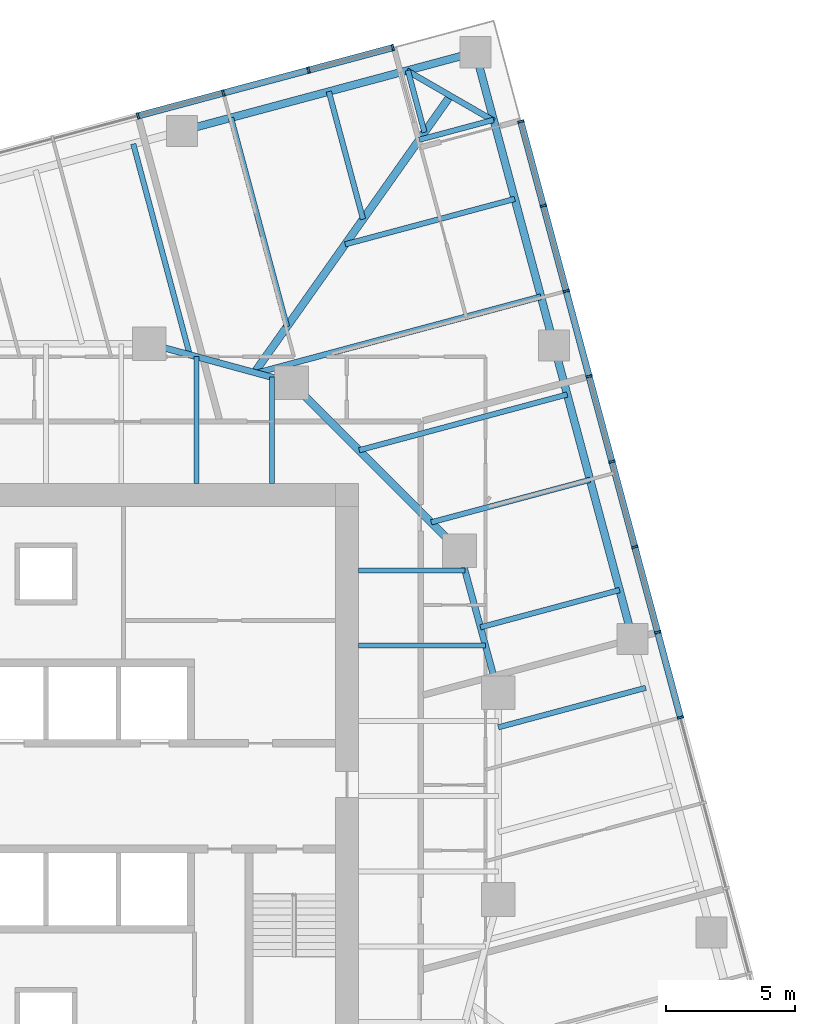
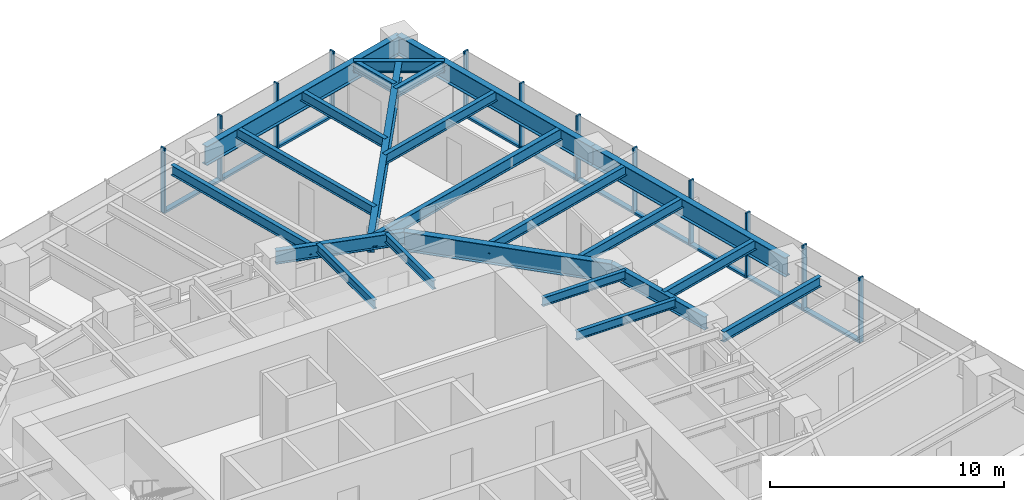
# One storey, part 6 of 14: 23 beams, 22 members, 2 elements without a shape of their own.
"""IFC4 building model written with IfcOpenShell, lengths in metres."""

from ifc_helpers import new_model, si_unit, direction, frame, origin, origin_2d, place, context, subcontext, project, spatial, rectangle, i_section, extrude, material, material_profile, profile_set, type_object, element, aggregate, save


model = new_model("IFC4")

# Units and contexts
model_context = context("Model", 3, precision=1e-05, world=origin(), true_north=direction((0.0, 1.0)))
body_context = subcontext(model_context, "Body", "Model", "MODEL_VIEW")
ifc_project = project(units=[si_unit("LENGTHUNIT", "METRE"), si_unit("AREAUNIT", "SQUARE_METRE"), si_unit("VOLUMEUNIT", "CUBIC_METRE"), si_unit("PLANEANGLEUNIT", "RADIAN"), si_unit("MASSUNIT", "GRAM", prefix="KILO")], contexts=[model_context])

# Site, building, storey
site_placement = place(None, origin())
site = spatial("IfcSite", under=ifc_project, at=site_placement, CompositionType="ELEMENT")
building_placement = place(site_placement, origin())
building = spatial("IfcBuilding", under=site, at=building_placement, Name="Torsade Residences", CompositionType="ELEMENT")
storey_placement = place(building_placement, frame((0.0, 0.0, 111.60009765625)))
storey = spatial("IfcBuildingStorey", under=building, at=storey_placement, Name="L30", CompositionType="ELEMENT", Elevation=111.60009765625)

# Beams
ifc_material_1 = material(Name="Steel grade 300", Category="steel")
ifc_material_profile_1 = material_profile(ifc_material_1, i_section(OverallWidth=0.300048828125, OverallDepth=0.89990234375, WebThickness=0.011962890625, FlangeThickness=0.02490234375, at=origin_2d()), Name="900WB175")
ifc_profile_set_1 = profile_set([ifc_material_profile_1], Name="Steel grade 300")
beam_type_1 = type_object("IfcBeamType", Name="CORNER GIRDER 900WB175", PredefinedType="BEAM", material=ifc_profile_set_1)
beam_1_placement = place(storey_placement, frame((55.644775390625, 57.097412109375, 2.7998046875), z_axis=(-0.577683167004, -0.816261084801, 0.0), x_axis=(0.816261084801, -0.577683167004, 0.0)))
element("IfcBeam", 1, at=beam_1_placement, inside=storey, type_object=beam_type_1, Name="Corner girder 09 L31", PredefinedType="BEAM", context=body_context, shape_type="SweptSolid", body=[
    extrude(i_section(OverallWidth=0.300048828125, OverallDepth=0.89990234375, WebThickness=0.011962890625, FlangeThickness=0.02490234375, at=origin_2d()), origin(), (0.0, 0.0, 1.0), 13.116943359375),
])
ifc_material_2 = material(Name="Steel grade 300", Category="steel")
ifc_material_profile_2 = material_profile(ifc_material_2, i_section(OverallWidth=0.22802734375, OverallDepth=0.60205078125, WebThickness=0.010498046875, FlangeThickness=0.014892578125, FilletRadius=0.013916015625, at=origin_2d()), Name="610UB101")
ifc_profile_set_2 = profile_set([ifc_material_profile_2], Name="Steel grade 300")
beam_type_2 = type_object("IfcBeamType", Name="CORNER TRIMMER 610UB101", PredefinedType="BEAM", material=ifc_profile_set_2)
beam_2_placement = place(storey_placement, frame((53.960693359375, 58.06982421875, 2.948974609375), z_axis=(0.866028782848, -0.499994147244, 0.0), x_axis=(0.499994147244, 0.866028782848, 0.0)))
element("IfcBeam", 2, at=beam_2_placement, inside=storey, type_object=beam_type_2, Name="Corner trimmer 09 L31", PredefinedType="BEAM", context=body_context, shape_type="SweptSolid", body=[
    extrude(i_section(OverallWidth=0.22802734375, OverallDepth=0.60205078125, WebThickness=0.010498046875, FlangeThickness=0.014892578125, FilletRadius=0.013916015625, at=origin_2d()), origin(), (0.0, 0.0, 1.0), 3.88916015625),
])
ifc_material_3 = material(Name="Steel grade 300", Category="steel")
ifc_material_profile_3 = material_profile(ifc_material_3, i_section(OverallWidth=0.300048828125, OverallDepth=1.0, WebThickness=0.01611328125, FlangeThickness=0.028076171875, at=origin_2d()), Name="1000WB215")
ifc_profile_set_3 = profile_set([ifc_material_profile_3], Name="Steel grade 300")
beam_type_3 = type_object("IfcBeamType", Name="EDGE BEAM 1000WB215", PredefinedType="SPANDREL", material=ifc_profile_set_3)
for number, where, z_axis, x_axis, name in (
    (3, (62.69921875, 36.082275390625, 2.75), (-0.258810863021, 0.965928018634, 0.0), (-0.965928018634, -0.258810863021, 0.0), "Edge beam 07 L31"),
    (4, (59.658203125, 47.431884765625, 2.75), (-0.258830249097, 0.965922824118, 0.0), (-0.965922824118, -0.258830249097, 0.0), "Edge beam 08 L31"),
    (5, (56.616943359375, 58.781494140625, 2.75), (-0.965928018634, -0.258810863021, 0.0), (0.258810863021, -0.965928018634, 0.0), "Edge beam 09 L31"),
):
    element("IfcBeam", number, at=place(storey_placement, frame(where, z_axis=z_axis, x_axis=x_axis)), inside=storey, type_object=beam_type_3, Name=name, PredefinedType="SPANDREL", context=body_context, shape_type="SweptSolid", body=[
        extrude(i_section(OverallWidth=0.300048828125, OverallDepth=1.0, WebThickness=0.01611328125, FlangeThickness=0.028076171875, at=origin_2d()), origin(), (0.0, 0.0, 1.0), 11.75),
    ])
ifc_material_4 = material(Name="Steel grade 300", Category="steel")
ifc_material_profile_4 = material_profile(ifc_material_4, i_section(OverallWidth=0.18994140625, OverallDepth=0.4541015625, WebThickness=0.008544921875, FlangeThickness=0.0126953125, FilletRadius=0.011474609375, at=origin_2d()), Name="460UB67.1")
ifc_profile_set_4 = profile_set([ifc_material_profile_4], Name="Steel grade 300")
beam_type_4 = type_object("IfcBeamType", Name="INNER FLOOR BEAM 460UB67.1", PredefinedType="JOIST", material=ifc_profile_set_4)
beam_3_placement = place(storey_placement, frame((45.824951171875, 42.10009765625, 3.02294921875), z_axis=(0.0, 1.0, 0.0), x_axis=(-1.0, 0.0, 0.0)))
element("IfcBeam", 6, at=beam_3_placement, inside=storey, type_object=beam_type_4, Name="Inner floor beam IN06 L31", PredefinedType="JOIST", context=body_context, shape_type="SweptSolid", body=[
    extrude(i_section(OverallWidth=0.18994140625, OverallDepth=0.4541015625, WebThickness=0.008544921875, FlangeThickness=0.0126953125, FilletRadius=0.011474609375, at=origin_2d()), origin(), (0.0, 0.0, 1.0), 4.902099609375),
])
beam_4_placement = place(storey_placement, frame((48.737548828125, 42.10009765625, 3.02294921875), z_axis=(0.0, 1.0, 0.0), x_axis=(-1.0, 0.0, 0.0)))
element("IfcBeam", 7, at=beam_4_placement, inside=storey, type_object=beam_type_4, Name="Inner floor beam IN07 L31", PredefinedType="JOIST", context=body_context, shape_type="SweptSolid", body=[
    extrude(i_section(OverallWidth=0.18994140625, OverallDepth=0.4541015625, WebThickness=0.008544921875, FlangeThickness=0.0126953125, FilletRadius=0.011474609375, at=origin_2d()), origin(), (0.0, 0.0, 1.0), 4.10791015625),
])
beam_5_placement = place(storey_placement, frame((52.10009765625, 35.824951171875, 3.02294921875), z_axis=(1.0, 0.0, 0.0), x_axis=(0.0, 1.0, 0.0)))
element("IfcBeam", 8, at=beam_5_placement, inside=storey, type_object=beam_type_4, Name="Inner floor beam IE06 L31", PredefinedType="JOIST", context=body_context, shape_type="SweptSolid", body=[
    extrude(i_section(OverallWidth=0.18994140625, OverallDepth=0.4541015625, WebThickness=0.008544921875, FlangeThickness=0.0126953125, FilletRadius=0.011474609375, at=origin_2d()), origin(), (0.0, 0.0, 1.0), 4.902099609375),
])
beam_6_placement = place(storey_placement, frame((52.10009765625, 38.737548828125, 3.02294921875), z_axis=(1.0, 0.0, 0.0), x_axis=(0.0, 1.0, 0.0)))
element("IfcBeam", 9, at=beam_6_placement, inside=storey, type_object=beam_type_4, Name="Inner floor beam IE07 L31", PredefinedType="JOIST", context=body_context, shape_type="SweptSolid", body=[
    extrude(i_section(OverallWidth=0.18994140625, OverallDepth=0.4541015625, WebThickness=0.008544921875, FlangeThickness=0.0126953125, FilletRadius=0.011474609375, at=origin_2d()), origin(), (0.0, 0.0, 1.0), 4.10791015625),
])

# Curtain wall, members
ifc_material_5 = material(Name="Aluminium and glass", Category="aluminium")
curtain_wall_type = type_object("IfcCurtainWallType", Name="FRITTED GLASS CURTAIN WALL MID ZONE", PredefinedType="NOTDEFINED", material=ifc_material_5)
curtain_wall_1_placement = place(storey_placement, origin())
curtain_wall_1 = element("IfcCurtainWall", 10, at=curtain_wall_1_placement, inside=storey, type_object=curtain_wall_type, Name="Curtain wall L30 face 4", PredefinedType="NOTDEFINED")
ifc_material_6 = material(Name="Aluminium mullion", Category="aluminium")
ifc_material_profile_5 = material_profile(ifc_material_6, rectangle(XDim=0.25, YDim=0.080078125, at=origin_2d()), Name="MID ZONE CURTAIN WALL MULLION 250x80")
ifc_profile_set_5 = profile_set([ifc_material_profile_5], Name="Aluminium mullion")
member_type_1 = type_object("IfcMemberType", Name="MID ZONE CURTAIN WALL MULLION 250x80", PredefinedType="MULLION", material=ifc_profile_set_5)
member_1_placement = place(storey_placement, frame((64.549560546875, 33.040771484375, 0.0), z_axis=(0.0, 0.0, 1.0), x_axis=(-0.965925825571, -0.258819047783, 0.0)))
member_1 = element("IfcMember", 11, at=member_1_placement, type_object=member_type_1, Name="Mullion 6", PredefinedType="MULLION", context=body_context, shape_type="SweptSolid", body=[
    extrude(rectangle(XDim=0.25, YDim=0.080078125, at=origin_2d()), origin(), (0.0, 0.0, 1.0), 3.39990234375),
])
member_2_placement = place(storey_placement, frame((63.665283203125, 36.341064453125, 0.0), z_axis=(0.0, 0.0, 1.0), x_axis=(-0.965925825571, -0.258819047783, 0.0)))
member_2 = element("IfcMember", 12, at=member_2_placement, type_object=member_type_1, Name="Mullion 7", PredefinedType="MULLION", context=body_context, shape_type="SweptSolid", body=[
    extrude(rectangle(XDim=0.25, YDim=0.080078125, at=origin_2d()), origin(), (0.0, 0.0, 1.0), 3.39990234375),
])
member_3_placement = place(storey_placement, frame((62.781005859375, 39.641357421875, 0.0), z_axis=(0.0, 0.0, 1.0), x_axis=(-0.965925825571, -0.258819047783, 0.0)))
member_3 = element("IfcMember", 13, at=member_3_placement, type_object=member_type_1, Name="Mullion 8", PredefinedType="MULLION", context=body_context, shape_type="SweptSolid", body=[
    extrude(rectangle(XDim=0.25, YDim=0.080078125, at=origin_2d()), origin(), (0.0, 0.0, 1.0), 3.39990234375),
])
member_4_placement = place(storey_placement, frame((61.896484375, 42.941650390625, 0.0), z_axis=(0.0, 0.0, 1.0), x_axis=(-0.965925825571, -0.258819047783, 0.0)))
member_4 = element("IfcMember", 14, at=member_4_placement, type_object=member_type_1, Name="Mullion 9", PredefinedType="MULLION", context=body_context, shape_type="SweptSolid", body=[
    extrude(rectangle(XDim=0.25, YDim=0.080078125, at=origin_2d()), origin(), (0.0, 0.0, 1.0), 3.39990234375),
])
member_5_placement = place(storey_placement, frame((61.01220703125, 46.24169921875, 0.0), z_axis=(0.0, 0.0, 1.0), x_axis=(-0.965925825571, -0.258819047783, 0.0)))
member_5 = element("IfcMember", 15, at=member_5_placement, type_object=member_type_1, Name="Mullion 10", PredefinedType="MULLION", context=body_context, shape_type="SweptSolid", body=[
    extrude(rectangle(XDim=0.25, YDim=0.080078125, at=origin_2d()), origin(), (0.0, 0.0, 1.0), 3.39990234375),
])
member_6_placement = place(storey_placement, frame((60.1279296875, 49.5419921875, 0.0), z_axis=(0.0, 0.0, 1.0), x_axis=(-0.965925825571, -0.258819047783, 0.0)))
member_6 = element("IfcMember", 16, at=member_6_placement, type_object=member_type_1, Name="Mullion 11", PredefinedType="MULLION", context=body_context, shape_type="SweptSolid", body=[
    extrude(rectangle(XDim=0.25, YDim=0.080078125, at=origin_2d()), origin(), (0.0, 0.0, 1.0), 3.39990234375),
])
member_7_placement = place(storey_placement, frame((59.24365234375, 52.84228515625, 0.0), z_axis=(0.0, 0.0, 1.0), x_axis=(-0.965925825571, -0.258819047783, 0.0)))
member_7 = element("IfcMember", 17, at=member_7_placement, type_object=member_type_1, Name="Mullion 12", PredefinedType="MULLION", context=body_context, shape_type="SweptSolid", body=[
    extrude(rectangle(XDim=0.25, YDim=0.080078125, at=origin_2d()), origin(), (0.0, 0.0, 1.0), 3.39990234375),
])
member_8_placement = place(storey_placement, frame((58.36962890625, 56.10400390625, 0.0), z_axis=(0.0, 0.0, 1.0), x_axis=(-0.965925825571, -0.258819047783, 0.0)))
member_8 = element("IfcMember", 18, at=member_8_placement, type_object=member_type_1, Name="Mullion 13", PredefinedType="MULLION", context=body_context, shape_type="SweptSolid", body=[
    extrude(rectangle(XDim=0.25, YDim=0.080078125, at=origin_2d()), origin(), (0.0, 0.0, 1.0), 3.39990234375),
])

curtain_wall_2_placement = place(storey_placement, origin())
curtain_wall_2 = element("IfcCurtainWall", 19, at=curtain_wall_2_placement, inside=storey, type_object=curtain_wall_type, Name="Curtain wall L30 face 7", PredefinedType="NOTDEFINED")
member_9_placement = place(storey_placement, frame((53.421875, 58.960693359375, 0.0), z_axis=(0.0, 0.0, 1.0), x_axis=(0.258819047783, -0.965925825571, 0.0)))
member_9 = element("IfcMember", 20, at=member_9_placement, type_object=member_type_1, Name="Mullion 1", PredefinedType="MULLION", context=body_context, shape_type="SweptSolid", body=[
    extrude(rectangle(XDim=0.25, YDim=0.080078125, at=origin_2d()), origin(), (0.0, 0.0, 1.0), 3.39990234375),
])
member_10_placement = place(storey_placement, frame((50.16015625, 58.086669921875, 0.0), z_axis=(0.0, 0.0, 1.0), x_axis=(0.258819047783, -0.965925825571, 0.0)))
member_10 = element("IfcMember", 21, at=member_10_placement, type_object=member_type_1, Name="Mullion 2", PredefinedType="MULLION", context=body_context, shape_type="SweptSolid", body=[
    extrude(rectangle(XDim=0.25, YDim=0.080078125, at=origin_2d()), origin(), (0.0, 0.0, 1.0), 3.39990234375),
])
member_11_placement = place(storey_placement, frame((46.85986328125, 57.202392578125, 0.0), z_axis=(0.0, 0.0, 1.0), x_axis=(0.258819047783, -0.965925825571, 0.0)))
member_11 = element("IfcMember", 22, at=member_11_placement, type_object=member_type_1, Name="Mullion 3", PredefinedType="MULLION", context=body_context, shape_type="SweptSolid", body=[
    extrude(rectangle(XDim=0.25, YDim=0.080078125, at=origin_2d()), origin(), (0.0, 0.0, 1.0), 3.39990234375),
])
member_12_placement = place(storey_placement, frame((43.5595703125, 56.318115234375, 0.0), z_axis=(0.0, 0.0, 1.0), x_axis=(0.258819047783, -0.965925825571, 0.0)))
member_12 = element("IfcMember", 23, at=member_12_placement, type_object=member_type_1, Name="Mullion 4", PredefinedType="MULLION", context=body_context, shape_type="SweptSolid", body=[
    extrude(rectangle(XDim=0.25, YDim=0.080078125, at=origin_2d()), origin(), (0.0, 0.0, 1.0), 3.39990234375),
])

# Member
ifc_material_7 = material(Name="Aluminium transom", Category="aluminium")
ifc_material_profile_6 = material_profile(ifc_material_7, rectangle(XDim=0.25, YDim=0.110107421875, at=origin_2d()), Name="MID ZONE CURTAIN WALL TRANSOM 250x110")
ifc_profile_set_6 = profile_set([ifc_material_profile_6], Name="Aluminium transom")
member_type_2 = type_object("IfcMemberType", Name="MID ZONE CURTAIN WALL TRANSOM 250x110", PredefinedType="USERDEFINED", material=ifc_profile_set_6)
member_13_placement = place(storey_placement, frame((64.5390625, 33.079345703125, 0.054931640625), z_axis=(-0.258787285653, 0.965934335648, 0.0), x_axis=(-0.965934335648, -0.258787285653, 0.0)))
member_13 = element("IfcMember", 24, at=member_13_placement, type_object=member_type_2, Name="Transom 6.1", ObjectType="TRANSOM", PredefinedType="USERDEFINED", context=body_context, shape_type="SweptSolid", body=[
    extrude(rectangle(XDim=0.25, YDim=0.110107421875, at=origin_2d()), origin(), (0.0, 0.0, 1.0), 3.3369140625),
])

member_14_placement = place(storey_placement, frame((63.65478515625, 36.379638671875, 0.054931640625), z_axis=(-0.258787285653, 0.965934335648, 0.0), x_axis=(-0.965934335648, -0.258787285653, 0.0)))
member_14 = element("IfcMember", 25, at=member_14_placement, type_object=member_type_2, Name="Transom 7.1", ObjectType="TRANSOM", PredefinedType="USERDEFINED", context=body_context, shape_type="SweptSolid", body=[
    extrude(rectangle(XDim=0.25, YDim=0.110107421875, at=origin_2d()), origin(), (0.0, 0.0, 1.0), 3.3369140625),
])

member_15_placement = place(storey_placement, frame((62.7705078125, 39.679931640625, 0.054931640625), z_axis=(-0.258805576255, 0.965929435155, 0.0), x_axis=(-0.965929435155, -0.258805576255, 0.0)))
member_15 = element("IfcMember", 26, at=member_15_placement, type_object=member_type_2, Name="Transom 8.1", ObjectType="TRANSOM", PredefinedType="USERDEFINED", context=body_context, shape_type="SweptSolid", body=[
    extrude(rectangle(XDim=0.25, YDim=0.110107421875, at=origin_2d()), origin(), (0.0, 0.0, 1.0), 3.336669921875),
])

member_16_placement = place(storey_placement, frame((61.88623046875, 42.980224609375, 0.054931640625), z_axis=(-0.258805576255, 0.965929435155, 0.0), x_axis=(-0.965929435155, -0.258805576255, 0.0)))
member_16 = element("IfcMember", 27, at=member_16_placement, type_object=member_type_2, Name="Transom 9.1", ObjectType="TRANSOM", PredefinedType="USERDEFINED", context=body_context, shape_type="SweptSolid", body=[
    extrude(rectangle(XDim=0.25, YDim=0.110107421875, at=origin_2d()), origin(), (0.0, 0.0, 1.0), 3.336669921875),
])

member_17_placement = place(storey_placement, frame((61.001953125, 46.280517578125, 0.054931640625), z_axis=(-0.258805576255, 0.965929435155, 0.0), x_axis=(-0.965929435155, -0.258805576255, 0.0)))
member_17 = element("IfcMember", 28, at=member_17_placement, type_object=member_type_2, Name="Transom 10.1", ObjectType="TRANSOM", PredefinedType="USERDEFINED", context=body_context, shape_type="SweptSolid", body=[
    extrude(rectangle(XDim=0.25, YDim=0.110107421875, at=origin_2d()), origin(), (0.0, 0.0, 1.0), 3.336669921875),
])

member_18_placement = place(storey_placement, frame((60.11767578125, 49.580810546875, 0.054931640625), z_axis=(-0.258805576255, 0.965929435155, 0.0), x_axis=(-0.965929435155, -0.258805576255, 0.0)))
member_18 = element("IfcMember", 29, at=member_18_placement, type_object=member_type_2, Name="Transom 11.1", ObjectType="TRANSOM", PredefinedType="USERDEFINED", context=body_context, shape_type="SweptSolid", body=[
    extrude(rectangle(XDim=0.25, YDim=0.110107421875, at=origin_2d()), origin(), (0.0, 0.0, 1.0), 3.336669921875),
])

member_19_placement = place(storey_placement, frame((59.2333984375, 52.880859375, 0.054931640625), z_axis=(-0.258828627534, 0.965923258633, 0.0), x_axis=(-0.965923258633, -0.258828627534, 0.0)))
member_19 = element("IfcMember", 30, at=member_19_placement, type_object=member_type_2, Name="Transom 12.1", ObjectType="TRANSOM", PredefinedType="USERDEFINED", context=body_context, shape_type="SweptSolid", body=[
    extrude(rectangle(XDim=0.25, YDim=0.110107421875, at=origin_2d()), origin(), (0.0, 0.0, 1.0), 3.296630859375),
])

aggregate(curtain_wall_1, [member_1, member_2, member_3, member_4, member_5, member_6, member_7, member_8, member_13, member_14, member_15, member_16, member_17, member_18, member_19])

member_20_placement = place(storey_placement, frame((53.383056640625, 58.9501953125, 0.054931640625), z_axis=(-0.965923258633, -0.258828627534, 0.0), x_axis=(0.258828627534, -0.965923258633, 0.0)))
member_20 = element("IfcMember", 31, at=member_20_placement, type_object=member_type_2, Name="Transom 1.1", ObjectType="TRANSOM", PredefinedType="USERDEFINED", context=body_context, shape_type="SweptSolid", body=[
    extrude(rectangle(XDim=0.25, YDim=0.110107421875, at=origin_2d()), origin(), (0.0, 0.0, 1.0), 3.296630859375),
])

member_21_placement = place(storey_placement, frame((50.12158203125, 58.076416015625, 0.054931640625), z_axis=(-0.965916044226, -0.258855549498, 0.0), x_axis=(0.258855549498, -0.965916044226, 0.0)))
member_21 = element("IfcMember", 32, at=member_21_placement, type_object=member_type_2, Name="Transom 2.1", ObjectType="TRANSOM", PredefinedType="USERDEFINED", context=body_context, shape_type="SweptSolid", body=[
    extrude(rectangle(XDim=0.25, YDim=0.110107421875, at=origin_2d()), origin(), (0.0, 0.0, 1.0), 3.3369140625),
])

member_22_placement = place(storey_placement, frame((46.8212890625, 57.192138671875, 0.054931640625), z_axis=(-0.96591114124, -0.258873844232, 0.0), x_axis=(0.258873844232, -0.96591114124, 0.0)))
member_22 = element("IfcMember", 33, at=member_22_placement, type_object=member_type_2, Name="Transom 3.1", ObjectType="TRANSOM", PredefinedType="USERDEFINED", context=body_context, shape_type="SweptSolid", body=[
    extrude(rectangle(XDim=0.25, YDim=0.110107421875, at=origin_2d()), origin(), (0.0, 0.0, 1.0), 3.336669921875),
])

aggregate(curtain_wall_2, [member_9, member_10, member_11, member_12, member_20, member_21, member_22])

# Beams
ifc_material_8 = material(Name="Steel grade 300", Category="steel")
ifc_material_profile_7 = material_profile(ifc_material_8, i_section(OverallWidth=0.300048828125, OverallDepth=1.0, WebThickness=0.01611328125, FlangeThickness=0.028076171875, at=origin_2d()), Name="1000WB215")
ifc_profile_set_7 = profile_set([ifc_material_profile_7], Name="Steel grade 300")
beam_type_5 = type_object("IfcBeamType", Name="RING CORNER GIRDER 1000WB215", PredefinedType="BEAM", material=ifc_profile_set_7)
beam_7_placement = place(storey_placement, frame((56.0, 39.5, 2.75), z_axis=(-0.707106781187, 0.707106781187, 0.0), x_axis=(-0.707106781187, -0.707106781187, 0.0)))
element("IfcBeam", 34, at=beam_7_placement, inside=storey, type_object=beam_type_5, Name="Ring girder IR03 L31", PredefinedType="BEAM", context=body_context, shape_type="SweptSolid", body=[
    extrude(i_section(OverallWidth=0.300048828125, OverallDepth=1.0, WebThickness=0.01611328125, FlangeThickness=0.028076171875, at=origin_2d()), origin(), (0.0, 0.0, 1.0), 9.1923828125),
])
ifc_material_9 = material(Name="Steel grade 300", Category="steel")
ifc_material_profile_8 = material_profile(ifc_material_9, i_section(OverallWidth=0.25, OverallDepth=0.699951171875, WebThickness=0.010009765625, FlangeThickness=0.02001953125, at=origin_2d()), Name="700WB130")
ifc_profile_set_8 = profile_set([ifc_material_profile_8], Name="Steel grade 300")
beam_type_6 = type_object("IfcBeamType", Name="RING GIRDER 700WB130", PredefinedType="BEAM", material=ifc_profile_set_8)
for number, where, z_axis, x_axis, name in (
    (35, (57.5, 34.0, 2.89990234375), (-0.263117405792, 0.964763821238, 0.0), (-0.964763821238, -0.263117405792, 0.0), "Ring girder IR02 L31"),
    (36, (49.5, 46.0, 2.89990234375), (-0.964763821238, 0.263117405792, 0.0), (-0.263117405792, -0.964763821238, 0.0), "Ring girder IR04 L31"),
):
    element("IfcBeam", number, at=place(storey_placement, frame(where, z_axis=z_axis, x_axis=x_axis)), inside=storey, type_object=beam_type_6, Name=name, PredefinedType="BEAM", context=body_context, shape_type="SweptSolid", body=[
        extrude(i_section(OverallWidth=0.25, OverallDepth=0.699951171875, WebThickness=0.010009765625, FlangeThickness=0.02001953125, at=origin_2d()), origin(), (0.0, 0.0, 1.0), 5.700927734375),
    ])
ifc_material_10 = material(Name="Steel grade 300", Category="steel")
ifc_material_profile_9 = material_profile(ifc_material_10, i_section(OverallWidth=0.208984375, OverallDepth=0.528076171875, WebThickness=0.009521484375, FlangeThickness=0.01318359375, FilletRadius=0.013916015625, at=origin_2d()), Name="530UB82.0")
ifc_profile_set_9 = profile_set([ifc_material_profile_9], Name="Steel grade 300")
beam_type_7 = type_object("IfcBeamType", Name="SECONDARY BEAM 530UB82.0", PredefinedType="JOIST", material=ifc_profile_set_9)
beam_8_placement = place(storey_placement, frame((63.2060546875, 34.190673828125, 2.98583984375), z_axis=(-0.965920748174, -0.258837996141, 0.0), x_axis=(0.258837996141, -0.965920748174, 0.0)))
element("IfcBeam", 37, at=beam_8_placement, inside=storey, type_object=beam_type_7, Name="Floor beam FE06 L31", PredefinedType="JOIST", context=body_context, shape_type="SweptSolid", body=[
    extrude(i_section(OverallWidth=0.208984375, OverallDepth=0.528076171875, WebThickness=0.009521484375, FlangeThickness=0.01318359375, FilletRadius=0.013916015625, at=origin_2d()), origin(), (0.0, 0.0, 1.0), 5.907470703125),
])
beam_9_placement = place(storey_placement, frame((62.1923828125, 37.973876953125, 2.98583984375), z_axis=(-0.965923020144, -0.258829517553, 0.0), x_axis=(0.258829517553, -0.965923020144, 0.0)))
element("IfcBeam", 38, at=beam_9_placement, inside=storey, type_object=beam_type_7, Name="Floor beam FE07 L31", PredefinedType="JOIST", context=body_context, shape_type="SweptSolid", body=[
    extrude(i_section(OverallWidth=0.208984375, OverallDepth=0.528076171875, WebThickness=0.009521484375, FlangeThickness=0.01318359375, FilletRadius=0.013916015625, at=origin_2d()), origin(), (0.0, 0.0, 1.0), 5.57275390625),
])
beam_10_placement = place(storey_placement, frame((61.04931640625, 42.239990234375, 2.98583984375), z_axis=(-0.965929717932, -0.258804520856, 0.0), x_axis=(0.258804520856, -0.965929717932, 0.0)))
element("IfcBeam", 39, at=beam_10_placement, inside=storey, type_object=beam_type_7, Name="Floor beam FE08 L31", PredefinedType="JOIST", context=body_context, shape_type="SweptSolid", body=[
    extrude(i_section(OverallWidth=0.208984375, OverallDepth=0.528076171875, WebThickness=0.009521484375, FlangeThickness=0.01318359375, FilletRadius=0.013916015625, at=origin_2d()), origin(), (0.0, 0.0, 1.0), 6.360107421875),
])
beam_11_placement = place(storey_placement, frame((60.1650390625, 45.540283203125, 2.98583984375), z_axis=(-0.96592202475, -0.258833232221, 0.0), x_axis=(0.258833232221, -0.96592202475, 0.0)))
element("IfcBeam", 40, at=beam_11_placement, inside=storey, type_object=beam_type_7, Name="Floor beam FE09 L31", PredefinedType="JOIST", context=body_context, shape_type="SweptSolid", body=[
    extrude(i_section(OverallWidth=0.208984375, OverallDepth=0.528076171875, WebThickness=0.009521484375, FlangeThickness=0.01318359375, FilletRadius=0.013916015625, at=origin_2d()), origin(), (0.0, 0.0, 1.0), 8.33251953125),
])
beam_12_placement = place(storey_placement, frame((58.137451171875, 53.106689453125, 2.98583984375), z_axis=(-0.965927035229, -0.258814533235, 0.0), x_axis=(0.258814533235, -0.965927035229, 0.0)))
element("IfcBeam", 41, at=beam_12_placement, inside=storey, type_object=beam_type_7, Name="Floor beam FE11 L31", PredefinedType="JOIST", context=body_context, shape_type="SweptSolid", body=[
    extrude(i_section(OverallWidth=0.208984375, OverallDepth=0.528076171875, WebThickness=0.009521484375, FlangeThickness=0.01318359375, FilletRadius=0.013916015625, at=origin_2d()), origin(), (0.0, 0.0, 1.0), 6.792724609375),
])
beam_13_placement = place(storey_placement, frame((57.31787109375, 56.16552734375, 2.98583984375), z_axis=(-0.965913310475, -0.258865750242, 0.0), x_axis=(0.258865750242, -0.965913310475, 0.0)))
element("IfcBeam", 42, at=beam_13_placement, inside=storey, type_object=beam_type_7, Name="Floor beam FE12 L31", PredefinedType="JOIST", context=body_context, shape_type="SweptSolid", body=[
    extrude(i_section(OverallWidth=0.208984375, OverallDepth=0.528076171875, WebThickness=0.009521484375, FlangeThickness=0.01318359375, FilletRadius=0.013916015625, at=origin_2d()), origin(), (0.0, 0.0, 1.0), 2.980224609375),
])
beam_14_placement = place(storey_placement, frame((54.0009765625, 58.08056640625, 2.98583984375), z_axis=(0.258837674225, -0.965920834438, 0.0), x_axis=(0.965920834438, 0.258837674225, 0.0)))
element("IfcBeam", 43, at=beam_14_placement, inside=storey, type_object=beam_type_7, Name="Floor beam FN01 L31", PredefinedType="JOIST", context=body_context, shape_type="SweptSolid", body=[
    extrude(i_section(OverallWidth=0.208984375, OverallDepth=0.528076171875, WebThickness=0.009521484375, FlangeThickness=0.01318359375, FilletRadius=0.013916015625, at=origin_2d()), origin(), (0.0, 0.0, 1.0), 2.482666015625),
])
beam_15_placement = place(storey_placement, frame((50.942138671875, 57.260986328125, 2.98583984375), z_axis=(0.258815647274, -0.965926736728, 0.0), x_axis=(0.965926736728, 0.258815647274, 0.0)))
element("IfcBeam", 44, at=beam_15_placement, inside=storey, type_object=beam_type_7, Name="Floor beam FN02 L31", PredefinedType="JOIST", context=body_context, shape_type="SweptSolid", body=[
    extrude(i_section(OverallWidth=0.208984375, OverallDepth=0.528076171875, WebThickness=0.009521484375, FlangeThickness=0.01318359375, FilletRadius=0.013916015625, at=origin_2d()), origin(), (0.0, 0.0, 1.0), 5.11279296875),
])
beam_16_placement = place(storey_placement, frame((47.158935546875, 56.247314453125, 2.98583984375), z_axis=(0.258823120582, -0.965924734258, 0.0), x_axis=(0.965924734258, 0.258823120582, 0.0)))
element("IfcBeam", 45, at=beam_16_placement, inside=storey, type_object=beam_type_7, Name="Floor beam FN03 L31", PredefinedType="JOIST", context=body_context, shape_type="SweptSolid", body=[
    extrude(i_section(OverallWidth=0.208984375, OverallDepth=0.528076171875, WebThickness=0.009521484375, FlangeThickness=0.01318359375, FilletRadius=0.013916015625, at=origin_2d()), origin(), (0.0, 0.0, 1.0), 8.365966796875),
])
beam_17_placement = place(storey_placement, frame((43.375732421875, 55.233642578125, 2.98583984375), z_axis=(0.258808315464, -0.965928701223, 0.0), x_axis=(0.965928701223, 0.258808315464, 0.0)))
element("IfcBeam", 46, at=beam_17_placement, inside=storey, type_object=beam_type_7, Name="Floor beam FN04 L31", PredefinedType="JOIST", context=body_context, shape_type="SweptSolid", body=[
    extrude(i_section(OverallWidth=0.208984375, OverallDepth=0.528076171875, WebThickness=0.009521484375, FlangeThickness=0.01318359375, FilletRadius=0.013916015625, at=origin_2d()), origin(), (0.0, 0.0, 1.0), 8.447509765625),
])
ifc_material_11 = material(Name="Steel grade 300", Category="steel")
ifc_material_profile_10 = material_profile(ifc_material_11, i_section(OverallWidth=0.22900390625, OverallDepth=0.612060546875, WebThickness=0.011962890625, FlangeThickness=0.01953125, FilletRadius=0.013916015625, at=origin_2d()), Name="610UB125")
ifc_profile_set_10 = profile_set([ifc_material_profile_10], Name="Steel grade 300")
beam_type_8 = type_object("IfcBeamType", Name="SECONDARY BEAM 610UB125", PredefinedType="JOIST", material=ifc_profile_set_10)
beam_18_placement = place(storey_placement, frame((59.1513671875, 49.323486328125, 2.94384765625), z_axis=(-0.965929035417, -0.258807068179, 0.0), x_axis=(0.258807068179, -0.965929035417, 0.0)))
element("IfcBeam", 47, at=beam_18_placement, inside=storey, type_object=beam_type_8, Name="Floor beam FE10 L31", PredefinedType="JOIST", context=body_context, shape_type="SweptSolid", body=[
    extrude(i_section(OverallWidth=0.22900390625, OverallDepth=0.612060546875, WebThickness=0.011962890625, FlangeThickness=0.01953125, FilletRadius=0.013916015625, at=origin_2d()), origin(), (0.0, 0.0, 1.0), 11.40380859375),
])

save(model, "model.ifc")
